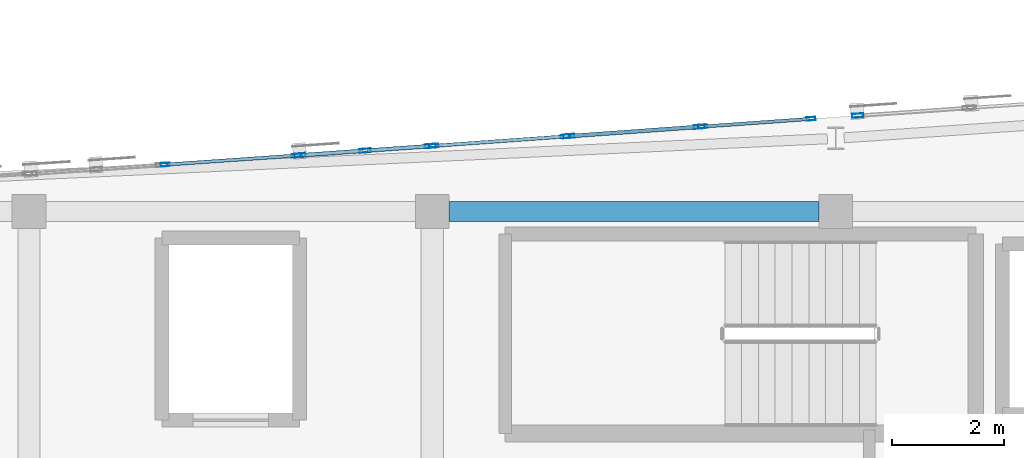
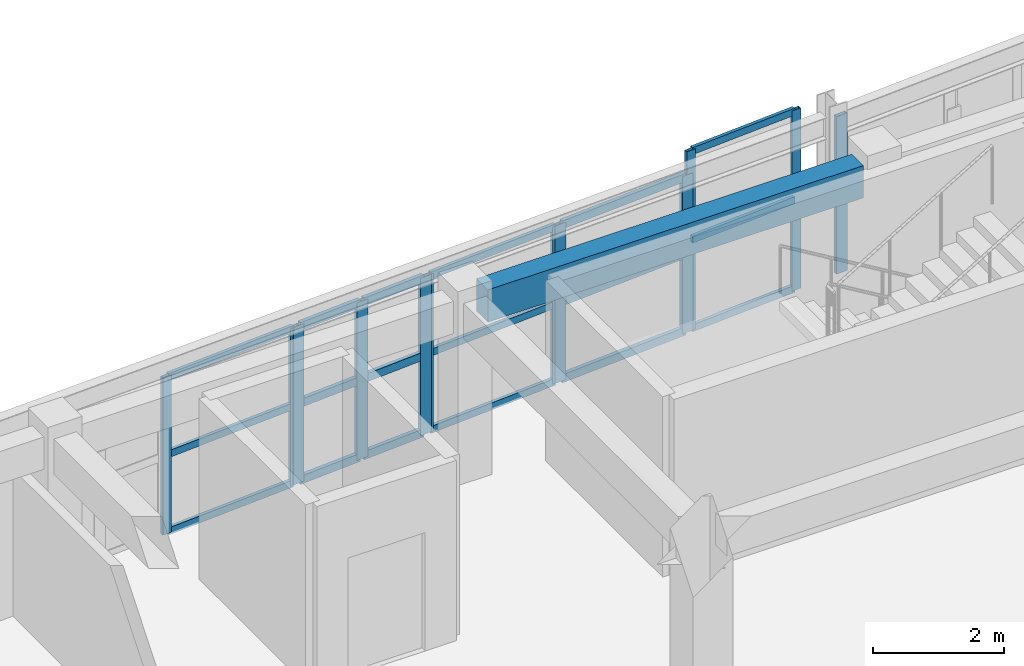
# One storey, part 10 of 50: 30 members, 1 beam, 6 elements without a shape of their own.
"""IFC4 building model written with IfcOpenShell, lengths in metres."""

import ifcopenshell
import ifcopenshell.guid

model = None  # the IFC model being written
_history = None  # IfcOwnerHistory: only IFC2X3 demands one
_inside = {}  # id of a spatial element -> (the spatial element, [elements in it])
_under = {}  # id of a project, library or spatial element -> (it, [spatial elements below it])
_declared = {}  # id of a project -> (the project, [libraries it declares])
_typed = {}  # id of a type object -> (the type object, [elements of that type])
_made_of = {}  # id of a material, layer set ... -> (it, [elements and type objects made of it])


def new_model(schema):
    """Start an empty IFC model of exactly this schema.

    Asked for "IFC4X3", IfcOpenShell would pick the latest addendum, in which some entities
    have other attributes; the version numbers below select the first issue.
    IFC2X3 requires an IfcOwnerHistory on every rooted entity: one is made here for all.
    """
    global model, _history
    if schema == "IFC4X3":
        model = ifcopenshell.file(schema_version=(4, 3, 0, 0))
    else:
        model = ifcopenshell.file(schema=schema)
    _inside.clear()
    _under.clear()
    _declared.clear()
    _typed.clear()
    _made_of.clear()
    _history = None
    if model.schema == "IFC2X3":
        org = make("IfcOrganization", Name="unknown")
        user = make(
            "IfcPersonAndOrganization",
            ThePerson=make("IfcPerson", FamilyName="unknown"),
            TheOrganization=org,
        )
        app = make(
            "IfcApplication",
            ApplicationDeveloper=org,
            Version="unknown",
            ApplicationFullName="unknown",
            ApplicationIdentifier="unknown",
        )
        _history = make(
            "IfcOwnerHistory",
            OwningUser=user,
            OwningApplication=app,
            ChangeAction="ADDED",
            CreationDate=0,
        )
    return model


def make(cls, **values):
    """One entity of the class cls with the attributes given. An attribute that is None is left unset."""
    return model.create_entity(
        cls, **{name: value for name, value in values.items() if value is not None}
    )


def rooted(cls, **values):
    """An entity with a GlobalId (a new one), such as an element, a storey or a relation."""
    return make(cls, GlobalId=ifcopenshell.guid.new(), OwnerHistory=_history, **values)


def si_unit(unit_type, name, prefix=None):
    """IfcSIUnit, for example si_unit("LENGTHUNIT", "METRE", prefix="MILLI")."""
    return make("IfcSIUnit", UnitType=unit_type, Prefix=prefix, Name=name)


def assignment(units):
    """IfcUnitAssignment: the units of a project."""
    return None if units is None else make("IfcUnitAssignment", Units=units)


def point(xyz):
    """IfcCartesianPoint."""
    return None if xyz is None else make("IfcCartesianPoint", Coordinates=xyz)


def direction(xyz):
    """IfcDirection."""
    return None if xyz is None else make("IfcDirection", DirectionRatios=xyz)


def frame(location, z_axis=None, x_axis=None):
    """IfcAxis2Placement3D, a coordinate frame: its origin and axes. An axis left out is left unset."""
    return make(
        "IfcAxis2Placement3D",
        Location=point(location),
        Axis=direction(z_axis),
        RefDirection=direction(x_axis),
    )


def frame_2d(location, x_axis=None):
    """IfcAxis2Placement2D, a coordinate frame in the plane: its origin and x axis."""
    return make(
        "IfcAxis2Placement2D", Location=point(location), RefDirection=direction(x_axis)
    )


def origin():
    """The frame at (0, 0, 0) with its axes left unset."""
    return frame((0.0, 0.0, 0.0))


def origin_2d():
    """The frame at (0, 0) in the plane with its x axis left unset."""
    return frame_2d((0.0, 0.0))


def place(relative_to, where):
    """IfcLocalPlacement: puts the frame where relative to a parent placement (None: the world)."""
    return make(
        "IfcLocalPlacement", PlacementRelTo=relative_to, RelativePlacement=where
    )


def context(
    kind, dimensions, precision=None, world=None, true_north=None, identifier=None
):
    """IfcGeometricRepresentationContext, for example the 3D "Model" context."""
    return make(
        "IfcGeometricRepresentationContext",
        ContextIdentifier=identifier,
        ContextType=kind,
        CoordinateSpaceDimension=dimensions,
        Precision=precision,
        WorldCoordinateSystem=world,
        TrueNorth=true_north,
    )


def subcontext(parent, identifier, kind, view, scale=None):
    """IfcGeometricRepresentationSubContext, for example "Body" below "Model"."""
    return make(
        "IfcGeometricRepresentationSubContext",
        ContextIdentifier=identifier,
        ContextType=kind,
        ParentContext=parent,
        TargetScale=scale,
        TargetView=view,
    )


def project(units=None, contexts=None):
    """IfcProject with its units and contexts."""
    return rooted(
        "IfcProject",
        Name="project",
        RepresentationContexts=contexts,
        UnitsInContext=assignment(units),
    )


def spatial(cls, under=None, at=None, **own):
    """A site, building, storey or space (cls), placed at a placement, below another one or the project."""
    s = rooted(cls, ObjectPlacement=at, **own)
    if under is not None:
        _under.setdefault(under.id(), (under, []))[1].append(s)
    return s


def profile(cls, at=None, kind="AREA", **sizes):
    """A parametric profile (cls). Its sizes go by their IFC names, for example OverallWidth=200.0."""
    return make(cls, ProfileType=kind, Position=at, **sizes)


def rectangle(**sizes):
    """IfcRectangleProfileDef."""
    return profile("IfcRectangleProfileDef", **sizes)


def hollow_rectangle(**sizes):
    """IfcRectangleHollowProfileDef."""
    return profile("IfcRectangleHollowProfileDef", **sizes)


def extrude(swept, where, along, depth):
    """IfcExtrudedAreaSolid: the profile swept, set in the frame where, extruded along a direction by depth."""
    return make(
        "IfcExtrudedAreaSolid",
        SweptArea=swept,
        Position=where,
        ExtrudedDirection=direction(along),
        Depth=depth,
    )


def shape(context_of_items, identifier, shape_type, items):
    """IfcShapeRepresentation: the items that make up one representation, for example the "Body"."""
    return make(
        "IfcShapeRepresentation",
        ContextOfItems=context_of_items,
        RepresentationIdentifier=identifier,
        RepresentationType=shape_type,
        Items=items,
    )


def material(Name=None, Category=None):
    """IfcMaterial."""
    return make("IfcMaterial", Name=Name, Category=Category)


def layer(
    of_material, thickness, ventilated=None, Name=None, Category=None, Priority=None
):
    """IfcMaterialLayer: one layer of a wall or slab, of a material (None: an air gap)."""
    return make(
        "IfcMaterialLayer",
        Material=of_material,
        LayerThickness=thickness,
        IsVentilated=ventilated,
        Name=Name,
        Category=Category,
        Priority=Priority,
    )


def layer_set(layers, Name=None):
    """IfcMaterialLayerSet."""
    return make("IfcMaterialLayerSet", MaterialLayers=layers, LayerSetName=Name)


def material_profile(
    of_material, cross_section, Name=None, Category=None, Priority=None
):
    """IfcMaterialProfile: a cross section and its material."""
    return make(
        "IfcMaterialProfile",
        Name=Name,
        Material=of_material,
        Profile=cross_section,
        Priority=Priority,
        Category=Category,
    )


def profile_set(profiles, Name=None, composite=None):
    """IfcMaterialProfileSet."""
    return make(
        "IfcMaterialProfileSet",
        Name=Name,
        MaterialProfiles=profiles,
        CompositeProfile=composite,
    )


def made_of(thing, what):
    """Note that an element or type object is made of a material, layer set ...; save() writes the relation."""
    if what is not None:
        _made_of.setdefault(what.id(), (what, []))[1].append(thing)
    return thing


def type_object(cls, material=None, **own):
    """A type object (cls), such as IfcWallType, which elements share."""
    return made_of(rooted(cls, **own), material)


def element(
    cls,
    number,
    at=None,
    inside=None,
    cuts=None,
    type_object=None,
    material=None,
    context=None,
    identifier="Body",
    shape_type=None,
    held_by="IfcProductDefinitionShape",
    body=None,
    shapes=None,
    **own,
):
    """One element of the class cls, such as IfcWall. Its Tag is "e" and its number.

    at: its placement. inside: the storey or other place that contains it. cuts: it is an
    opening in that element (IfcRelVoidsElement). A single representation is given by context,
    identifier, shape_type and body (its items); several are given by shapes. held_by: the class
    of the entity that holds the representations. save() writes the other relations.
    """
    e = rooted(cls, Tag="e%d" % number, ObjectPlacement=at, **own)
    if body is not None:
        shapes = [shape(context, identifier, shape_type, body)]
    if shapes is not None:
        e.Representation = make(held_by, Representations=shapes)
    if inside is not None:
        _inside.setdefault(inside.id(), (inside, []))[1].append(e)
    if cuts is not None:
        rooted(
            "IfcRelVoidsElement", RelatingBuildingElement=cuts, RelatedOpeningElement=e
        )
    if type_object is not None:
        _typed.setdefault(type_object.id(), (type_object, []))[1].append(e)
    return made_of(e, material)


def aggregate(whole, parts):
    """IfcRelAggregates: a whole, such as a stair, and the parts it consists of."""
    return rooted("IfcRelAggregates", RelatingObject=whole, RelatedObjects=parts)


def save(model, path):
    """Write the relations noted so far, then the file.

    IfcRelAggregates (storeys below a building ...), IfcRelContainedInSpatialStructure (elements
    in a storey), IfcRelDefinesByType, IfcRelAssociatesMaterial and IfcRelDeclares: one each for
    every whole, place, type object, material and project.
    """
    for whole, parts in _under.values():
        aggregate(whole, parts)
    for where, things in _inside.values():
        rooted(
            "IfcRelContainedInSpatialStructure",
            RelatedElements=things,
            RelatingStructure=where,
        )
    for kind, things in _typed.values():
        rooted("IfcRelDefinesByType", RelatedObjects=things, RelatingType=kind)
    for what, things in _made_of.values():
        rooted("IfcRelAssociatesMaterial", RelatedObjects=things, RelatingMaterial=what)
    for by, libraries in _declared.values():
        rooted("IfcRelDeclares", RelatingContext=by, RelatedDefinitions=libraries)
    model.write(path)


model = new_model("IFC4")

# Units and contexts
model_context = context("Model", 3, precision=1e-05, world=origin(), true_north=direction((0.0, 1.0)))
body_context = subcontext(model_context, "Body", "Model", "MODEL_VIEW")
ifc_project = project(units=[si_unit("LENGTHUNIT", "METRE"), si_unit("AREAUNIT", "SQUARE_METRE"), si_unit("VOLUMEUNIT", "CUBIC_METRE"), si_unit("PLANEANGLEUNIT", "RADIAN"), si_unit("MASSUNIT", "GRAM", prefix="KILO")], contexts=[model_context])

# Site, building, storey
site_placement = place(None, origin())
site = spatial("IfcSite", under=ifc_project, at=site_placement, CompositionType="ELEMENT")
building_placement = place(site_placement, origin())
building = spatial("IfcBuilding", under=site, at=building_placement, Name="Carrowvane Square Congress Hotel", CompositionType="ELEMENT")
storey_placement = place(building_placement, frame((0.0, 0.0, 22.800048828125)))
storey = spatial("IfcBuildingStorey", under=building, at=storey_placement, Name="L05", CompositionType="ELEMENT", Elevation=22.800048828125)

# Beam
ifc_material_1 = material(Name="Concrete C35/45", Category="concrete")
ifc_material_profile_1 = material_profile(ifc_material_1, rectangle(XDim=0.35009765625, YDim=0.60009765625, at=origin_2d()), Name="RC 350x600")
ifc_profile_set_1 = profile_set([ifc_material_profile_1], Name="Concrete C35/45")
beam_type = type_object("IfcBeamType", Name="BM-RC-350x600", PredefinedType="BEAM", material=ifc_profile_set_1)
beam_placement = place(storey_placement, frame((55.10009765625, 113.39990234375, 3.050048828125), z_axis=(1.0, 0.0, 0.0), x_axis=(0.0, 1.0, 0.0)))
element("IfcBeam", 1, at=beam_placement, inside=storey, type_object=beam_type, Name="L06 girder R/7-8", PredefinedType="BEAM", context=body_context, shape_type="SweptSolid", body=[
    extrude(rectangle(XDim=0.35009765625, YDim=0.60009765625, at=origin_2d()), origin(), (0.0, 0.0, 1.0), 6.599853515625),
])

# Curtain wall, members
ifc_material_2 = material(Name="Anodised aluminium", Category="aluminium")
ifc_layer_1 = layer(ifc_material_2, 0.162109375)
ifc_layer_set_1 = layer_set([ifc_layer_1], Name="Anodised aluminium")
curtain_wall_type_1 = type_object("IfcCurtainWallType", Name="CW-SYS-1", PredefinedType="NOTDEFINED", material=ifc_layer_set_1)
curtain_wall_1_placement = place(storey_placement, origin())
curtain_wall_1 = element("IfcCurtainWall", 2, at=curtain_wall_1_placement, inside=storey, type_object=curtain_wall_type_1, Name="L05 unitised curtain wall 312", PredefinedType="NOTDEFINED")
ifc_material_3 = material(Name="Anodised aluminium", Category="aluminium")
ifc_material_profile_2 = material_profile(ifc_material_3, hollow_rectangle(XDim=0.06005859375, YDim=0.159912109375, WallThickness=0.00390625, at=origin_2d()), Name="CW-ML 60x160x4")
ifc_profile_set_2 = profile_set([ifc_material_profile_2], Name="Anodised aluminium")
member_type_1 = type_object("IfcMemberType", Name="CW-MUL-1", PredefinedType="MULLION", material=ifc_profile_set_2)
member_1_placement = place(storey_placement, frame((50.030029296875, 114.237548828125, 0.0), z_axis=(0.0, 0.0, 1.0), x_axis=(-0.068986120725, 0.997617619706, 0.0)))
member_1 = element("IfcMember", 3, at=member_1_placement, type_object=member_type_1, Name="CW-1 mullion 1", PredefinedType="MULLION", context=body_context, shape_type="SweptSolid", body=[
    extrude(hollow_rectangle(XDim=0.06005859375, YDim=0.159912109375, WallThickness=0.00390625, at=origin_2d()), origin(), (0.0, 0.0, 1.0), 2.925537109375),
])
member_2_placement = place(storey_placement, frame((52.3701171875, 114.3994140625, 0.0), z_axis=(0.0, 0.0, 1.0), x_axis=(-0.068986120725, 0.997617619706, 0.0)))
member_2 = element("IfcMember", 4, at=member_2_placement, type_object=member_type_1, Name="CW-1 mullion 2", PredefinedType="MULLION", context=body_context, shape_type="SweptSolid", body=[
    extrude(hollow_rectangle(XDim=0.06005859375, YDim=0.159912109375, WallThickness=0.00390625, at=origin_2d()), origin(), (0.0, 0.0, 1.0), 2.925537109375),
])

ifc_material_4 = material(Name="Anodised aluminium", Category="aluminium")
ifc_layer_2 = layer(ifc_material_4, 0.18603515625)
ifc_layer_set_2 = layer_set([ifc_layer_2], Name="Anodised aluminium")
curtain_wall_type_2 = type_object("IfcCurtainWallType", Name="CW-SYS-3", PredefinedType="NOTDEFINED", material=ifc_layer_set_2)
curtain_wall_2_placement = place(storey_placement, origin())
curtain_wall_2 = element("IfcCurtainWall", 5, at=curtain_wall_2_placement, inside=storey, type_object=curtain_wall_type_2, Name="L05 unitised curtain wall 314", PredefinedType="NOTDEFINED")
member_3_placement = place(storey_placement, frame((54.829833984375, 114.573486328125, 0.0), z_axis=(0.0, 0.0, 1.0), x_axis=(-0.071418356042, 0.997446448898, 0.0)))
member_3 = element("IfcMember", 6, at=member_3_placement, type_object=member_type_1, Name="CW-3 mullion 1", PredefinedType="MULLION", context=body_context, shape_type="SweptSolid", body=[
    extrude(hollow_rectangle(XDim=0.06005859375, YDim=0.159912109375, WallThickness=0.00390625, at=origin_2d()), origin(), (0.0, 0.0, 1.0), 2.925537109375),
])
member_4_placement = place(storey_placement, frame((57.169921875, 114.740966796875, 0.0), z_axis=(0.0, 0.0, 1.0), x_axis=(-0.071418356042, 0.997446448898, 0.0)))
member_4 = element("IfcMember", 7, at=member_4_placement, type_object=member_type_1, Name="CW-3 mullion 2", PredefinedType="MULLION", context=body_context, shape_type="SweptSolid", body=[
    extrude(hollow_rectangle(XDim=0.06005859375, YDim=0.159912109375, WallThickness=0.00390625, at=origin_2d()), origin(), (0.0, 0.0, 1.0), 2.925537109375),
])

ifc_material_5 = material(Name="Anodised aluminium", Category="aluminium")
ifc_layer_3 = layer(ifc_material_5, 0.2099609375)
ifc_layer_set_3 = layer_set([ifc_layer_3], Name="Anodised aluminium")
curtain_wall_type_3 = type_object("IfcCurtainWallType", Name="CW-SYS-5", PredefinedType="NOTDEFINED", material=ifc_layer_set_3)
curtain_wall_3_placement = place(storey_placement, origin())
curtain_wall_3 = element("IfcCurtainWall", 8, at=curtain_wall_3_placement, inside=storey, type_object=curtain_wall_type_3, Name="L05 unitised curtain wall 316", PredefinedType="NOTDEFINED")
member_5_placement = place(storey_placement, frame((59.6298828125, 114.91748046875, 0.0), z_axis=(0.0, 0.0, 1.0), x_axis=(-0.070960217342, 0.997479146426, 0.0)))
member_5 = element("IfcMember", 9, at=member_5_placement, type_object=member_type_1, Name="CW-5 mullion 1", PredefinedType="MULLION", context=body_context, shape_type="SweptSolid", body=[
    extrude(hollow_rectangle(XDim=0.06005859375, YDim=0.159912109375, WallThickness=0.00390625, at=origin_2d()), origin(), (0.0, 0.0, 1.0), 3.349853515625),
])
member_6_placement = place(storey_placement, frame((61.5595703125, 115.0546875, 0.0), z_axis=(0.0, 0.0, 1.0), x_axis=(-0.070960217342, 0.997479146426, 0.0)))
member_6 = element("IfcMember", 10, at=member_6_placement, type_object=member_type_1, Name="CW-5 mullion 2", PredefinedType="MULLION", context=body_context, shape_type="SweptSolid", body=[
    extrude(hollow_rectangle(XDim=0.06005859375, YDim=0.159912109375, WallThickness=0.00390625, at=origin_2d()), origin(), (0.0, 0.0, 1.0), 3.349853515625),
])

ifc_material_6 = material(Name="Anodised aluminium", Category="aluminium")
ifc_layer_4 = layer(ifc_material_6, 0.174072265625)
ifc_layer_set_4 = layer_set([ifc_layer_4], Name="Anodised aluminium")
curtain_wall_type_4 = type_object("IfcCurtainWallType", Name="CW-SYS-2", PredefinedType="NOTDEFINED", material=ifc_layer_set_4)
curtain_wall_4_placement = place(storey_placement, origin())
curtain_wall_4 = element("IfcCurtainWall", 11, at=curtain_wall_4_placement, inside=storey, type_object=curtain_wall_type_4, Name="L05 unitised curtain wall 313", PredefinedType="NOTDEFINED")
ifc_material_7 = material(Name="Anodised aluminium", Category="aluminium")
ifc_material_profile_3 = material_profile(ifc_material_7, hollow_rectangle(XDim=0.070068359375, YDim=0.199951171875, WallThickness=0.0048828125, at=origin_2d()), Name="CW-ML 70x200x5")
ifc_profile_set_3 = profile_set([ifc_material_profile_3], Name="Anodised aluminium")
member_type_2 = type_object("IfcMemberType", Name="CW-MUL-2", PredefinedType="MULLION", material=ifc_profile_set_3)
member_7_placement = place(storey_placement, frame((52.434814453125, 114.40380859375, 0.0), z_axis=(0.0, 0.0, 1.0), x_axis=(-0.070585996942, 0.997505697746, 0.0)))
member_7 = element("IfcMember", 12, at=member_7_placement, type_object=member_type_2, Name="CW-2 mullion 1", PredefinedType="MULLION", context=body_context, shape_type="SweptSolid", body=[
    extrude(hollow_rectangle(XDim=0.070068359375, YDim=0.199951171875, WallThickness=0.0048828125, at=origin_2d()), origin(), (0.0, 0.0, 1.0), 2.925537109375),
])
member_8_placement = place(storey_placement, frame((53.60009765625, 114.486328125, 0.0), z_axis=(0.0, 0.0, 1.0), x_axis=(-0.070585996942, 0.997505697746, 0.0)))
member_8 = element("IfcMember", 13, at=member_8_placement, type_object=member_type_2, Name="CW-2 mullion 2", PredefinedType="MULLION", context=body_context, shape_type="SweptSolid", body=[
    extrude(hollow_rectangle(XDim=0.070068359375, YDim=0.199951171875, WallThickness=0.0048828125, at=origin_2d()), origin(), (0.0, 0.0, 1.0), 2.925537109375),
])
member_9_placement = place(storey_placement, frame((54.76513671875, 114.56884765625, 0.0), z_axis=(0.0, 0.0, 1.0), x_axis=(-0.070585996942, 0.997505697746, 0.0)))
member_9 = element("IfcMember", 14, at=member_9_placement, type_object=member_type_2, Name="CW-2 mullion 3", PredefinedType="MULLION", context=body_context, shape_type="SweptSolid", body=[
    extrude(hollow_rectangle(XDim=0.070068359375, YDim=0.199951171875, WallThickness=0.0048828125, at=origin_2d()), origin(), (0.0, 0.0, 1.0), 2.925537109375),
])

ifc_material_8 = material(Name="Anodised aluminium", Category="aluminium")
ifc_layer_5 = layer(ifc_material_8, 0.197998046875)
ifc_layer_set_5 = layer_set([ifc_layer_5], Name="Anodised aluminium")
curtain_wall_type_5 = type_object("IfcCurtainWallType", Name="CW-SYS-4", PredefinedType="NOTDEFINED", material=ifc_layer_set_5)
curtain_wall_5_placement = place(storey_placement, origin())
curtain_wall_5 = element("IfcCurtainWall", 15, at=curtain_wall_5_placement, inside=storey, type_object=curtain_wall_type_5, Name="L05 unitised curtain wall 315", PredefinedType="NOTDEFINED")
member_10_placement = place(storey_placement, frame((57.23486328125, 114.74560546875, 0.0), z_axis=(0.0, 0.0, 1.0), x_axis=(-0.071531759512, 0.997438322595, 0.0)))
member_10 = element("IfcMember", 16, at=member_10_placement, type_object=member_type_2, Name="CW-4 mullion 1", PredefinedType="MULLION", context=body_context, shape_type="SweptSolid", body=[
    extrude(hollow_rectangle(XDim=0.070068359375, YDim=0.199951171875, WallThickness=0.0048828125, at=origin_2d()), origin(), (0.0, 0.0, 1.0), 2.925537109375),
])
member_11_placement = place(storey_placement, frame((59.565185546875, 114.912841796875, 0.0), z_axis=(0.0, 0.0, 1.0), x_axis=(-0.071531759512, 0.997438322595, 0.0)))
member_11 = element("IfcMember", 17, at=member_11_placement, type_object=member_type_2, Name="CW-4 mullion 2", PredefinedType="MULLION", context=body_context, shape_type="SweptSolid", body=[
    extrude(hollow_rectangle(XDim=0.070068359375, YDim=0.199951171875, WallThickness=0.0048828125, at=origin_2d()), origin(), (0.0, 0.0, 1.0), 2.925537109375),
])

# Curtain wall, member
ifc_material_9 = material(Name="Anodised aluminium", Category="aluminium")
ifc_layer_6 = layer(ifc_material_9, 0.221923828125)
ifc_layer_set_6 = layer_set([ifc_layer_6], Name="Anodised aluminium")
curtain_wall_type_6 = type_object("IfcCurtainWallType", Name="CW-SYS-6", PredefinedType="NOTDEFINED", material=ifc_layer_set_6)
curtain_wall_6_placement = place(storey_placement, origin())
curtain_wall_6 = element("IfcCurtainWall", 18, at=curtain_wall_6_placement, inside=storey, type_object=curtain_wall_type_6, Name="L05 unitised curtain wall 317", PredefinedType="NOTDEFINED")
member_12_placement = place(storey_placement, frame((62.39208984375, 115.11328125, 0.0), z_axis=(0.0, 0.0, 1.0), x_axis=(-0.069723822092, 0.997566332949, 0.0)))
member_12 = element("IfcMember", 19, at=member_12_placement, type_object=member_type_2, Name="CW-6 mullion 1", PredefinedType="MULLION", context=body_context, shape_type="SweptSolid", body=[
    extrude(hollow_rectangle(XDim=0.070068359375, YDim=0.199951171875, WallThickness=0.0048828125, at=origin_2d()), origin(), (0.0, 0.0, 1.0), 2.925537109375),
])
aggregate(curtain_wall_6, [member_12])

# Member
ifc_material_10 = material(Name="Anodised aluminium", Category="aluminium")
ifc_material_profile_4 = material_profile(ifc_material_10, hollow_rectangle(XDim=0.06005859375, YDim=0.1298828125, WallThickness=0.00390625, at=origin_2d()), Name="CW-TR 60x130x4")
ifc_profile_set_4 = profile_set([ifc_material_profile_4], Name="Anodised aluminium")
member_type_3 = type_object("IfcMemberType", Name="CW-TRN-1", PredefinedType="USERDEFINED", material=ifc_profile_set_4)
member_13_placement = place(storey_placement, frame((50.059814453125, 114.239501953125, 0.030029296875), z_axis=(0.997616657175, 0.069000038601, 0.0), x_axis=(-0.069000038601, 0.997616657175, 0.0)))
member_13 = element("IfcMember", 20, at=member_13_placement, type_object=member_type_3, Name="CW-1 transom 1.1", ObjectType="TRANSOM", PredefinedType="USERDEFINED", context=body_context, shape_type="SweptSolid", body=[
    extrude(hollow_rectangle(XDim=0.06005859375, YDim=0.1298828125, WallThickness=0.00390625, at=origin_2d()), origin(), (0.0, 0.0, 1.0), 2.28564453125),
])

member_14_placement = place(storey_placement, frame((50.059814453125, 114.239501953125, 1.462646484375), z_axis=(0.997616657175, 0.069000038601, 0.0), x_axis=(-0.069000038601, 0.997616657175, 0.0)))
member_14 = element("IfcMember", 21, at=member_14_placement, type_object=member_type_3, Name="CW-1 transom 1.2", ObjectType="TRANSOM", PredefinedType="USERDEFINED", context=body_context, shape_type="SweptSolid", body=[
    extrude(hollow_rectangle(XDim=0.06005859375, YDim=0.1298828125, WallThickness=0.00390625, at=origin_2d()), origin(), (0.0, 0.0, 1.0), 2.28564453125),
])

member_15_placement = place(storey_placement, frame((50.059814453125, 114.239501953125, 2.8955078125), z_axis=(0.997616657175, 0.069000038601, 0.0), x_axis=(-0.069000038601, 0.997616657175, 0.0)))
member_15 = element("IfcMember", 22, at=member_15_placement, type_object=member_type_3, Name="CW-1 transom 1.3", ObjectType="TRANSOM", PredefinedType="USERDEFINED", context=body_context, shape_type="SweptSolid", body=[
    extrude(hollow_rectangle(XDim=0.06005859375, YDim=0.1298828125, WallThickness=0.00390625, at=origin_2d()), origin(), (0.0, 0.0, 1.0), 2.28564453125),
])

aggregate(curtain_wall_1, [member_1, member_2, member_13, member_14, member_15])

member_16_placement = place(storey_placement, frame((54.85986328125, 114.575439453125, 0.030029296875), z_axis=(0.997444585834, 0.071444371298, 0.0), x_axis=(-0.071444371298, 0.997444585834, 0.0)))
member_16 = element("IfcMember", 23, at=member_16_placement, type_object=member_type_3, Name="CW-3 transom 1.1", ObjectType="TRANSOM", PredefinedType="USERDEFINED", context=body_context, shape_type="SweptSolid", body=[
    extrude(hollow_rectangle(XDim=0.06005859375, YDim=0.1298828125, WallThickness=0.00390625, at=origin_2d()), origin(), (0.0, 0.0, 1.0), 2.2861328125),
])

member_17_placement = place(storey_placement, frame((54.85986328125, 114.575439453125, 1.462646484375), z_axis=(0.997444585834, 0.071444371298, 0.0), x_axis=(-0.071444371298, 0.997444585834, 0.0)))
member_17 = element("IfcMember", 24, at=member_17_placement, type_object=member_type_3, Name="CW-3 transom 1.2", ObjectType="TRANSOM", PredefinedType="USERDEFINED", context=body_context, shape_type="SweptSolid", body=[
    extrude(hollow_rectangle(XDim=0.06005859375, YDim=0.1298828125, WallThickness=0.00390625, at=origin_2d()), origin(), (0.0, 0.0, 1.0), 2.2861328125),
])

member_18_placement = place(storey_placement, frame((54.85986328125, 114.575439453125, 2.8955078125), z_axis=(0.997444585834, 0.071444371298, 0.0), x_axis=(-0.071444371298, 0.997444585834, 0.0)))
member_18 = element("IfcMember", 25, at=member_18_placement, type_object=member_type_3, Name="CW-3 transom 1.3", ObjectType="TRANSOM", PredefinedType="USERDEFINED", context=body_context, shape_type="SweptSolid", body=[
    extrude(hollow_rectangle(XDim=0.06005859375, YDim=0.1298828125, WallThickness=0.00390625, at=origin_2d()), origin(), (0.0, 0.0, 1.0), 2.2861328125),
])

aggregate(curtain_wall_2, [member_3, member_4, member_16, member_17, member_18])

member_19_placement = place(storey_placement, frame((59.659912109375, 114.91943359375, 0.030029296875), z_axis=(0.997477179268, 0.070987864025, 0.0), x_axis=(-0.070987864025, 0.997477179268, 0.0)))
member_19 = element("IfcMember", 26, at=member_19_placement, type_object=member_type_3, Name="CW-5 transom 1.1", ObjectType="TRANSOM", PredefinedType="USERDEFINED", context=body_context, shape_type="SweptSolid", body=[
    extrude(hollow_rectangle(XDim=0.06005859375, YDim=0.1298828125, WallThickness=0.00390625, at=origin_2d()), origin(), (0.0, 0.0, 1.0), 1.874267578125),
])

member_20_placement = place(storey_placement, frame((59.659912109375, 114.91943359375, 1.675048828125), z_axis=(0.997477179268, 0.070987864025, 0.0), x_axis=(-0.070987864025, 0.997477179268, 0.0)))
member_20 = element("IfcMember", 27, at=member_20_placement, type_object=member_type_3, Name="CW-5 transom 1.2", ObjectType="TRANSOM", PredefinedType="USERDEFINED", context=body_context, shape_type="SweptSolid", body=[
    extrude(hollow_rectangle(XDim=0.06005859375, YDim=0.1298828125, WallThickness=0.00390625, at=origin_2d()), origin(), (0.0, 0.0, 1.0), 1.874267578125),
])

member_21_placement = place(storey_placement, frame((59.659912109375, 114.91943359375, 3.320068359375), z_axis=(0.997477179268, 0.070987864025, 0.0), x_axis=(-0.070987864025, 0.997477179268, 0.0)))
member_21 = element("IfcMember", 28, at=member_21_placement, type_object=member_type_3, Name="CW-5 transom 1.3", ObjectType="TRANSOM", PredefinedType="USERDEFINED", context=body_context, shape_type="SweptSolid", body=[
    extrude(hollow_rectangle(XDim=0.06005859375, YDim=0.1298828125, WallThickness=0.00390625, at=origin_2d()), origin(), (0.0, 0.0, 1.0), 1.874267578125),
])

aggregate(curtain_wall_3, [member_5, member_6, member_19, member_20, member_21])

ifc_material_11 = material(Name="Anodised aluminium", Category="aluminium")
ifc_material_profile_5 = material_profile(ifc_material_11, hollow_rectangle(XDim=0.070068359375, YDim=0.14990234375, WallThickness=0.0048828125, at=origin_2d()), Name="CW-TR 70x150x5")
ifc_profile_set_5 = profile_set([ifc_material_profile_5], Name="Anodised aluminium")
member_type_4 = type_object("IfcMemberType", Name="CW-TRN-2", PredefinedType="USERDEFINED", material=ifc_profile_set_5)
member_22_placement = place(storey_placement, frame((52.4697265625, 114.406494140625, 0.034912109375), z_axis=(0.997513695284, 0.070472886429, 0.0), x_axis=(-0.070472886429, 0.997513695284, 0.0)))
member_22 = element("IfcMember", 29, at=member_22_placement, type_object=member_type_4, Name="CW-2 transom 1.1", ObjectType="TRANSOM", PredefinedType="USERDEFINED", context=body_context, shape_type="SweptSolid", body=[
    extrude(hollow_rectangle(XDim=0.070068359375, YDim=0.14990234375, WallThickness=0.0048828125, at=origin_2d()), origin(), (0.0, 0.0, 1.0), 1.09814453125),
])

member_23_placement = place(storey_placement, frame((52.4697265625, 114.406494140625, 1.462646484375), z_axis=(0.997513695284, 0.070472886429, 0.0), x_axis=(-0.070472886429, 0.997513695284, 0.0)))
member_23 = element("IfcMember", 30, at=member_23_placement, type_object=member_type_4, Name="CW-2 transom 1.2", ObjectType="TRANSOM", PredefinedType="USERDEFINED", context=body_context, shape_type="SweptSolid", body=[
    extrude(hollow_rectangle(XDim=0.070068359375, YDim=0.14990234375, WallThickness=0.0048828125, at=origin_2d()), origin(), (0.0, 0.0, 1.0), 1.09814453125),
])

member_24_placement = place(storey_placement, frame((52.4697265625, 114.406494140625, 2.890625), z_axis=(0.997513695284, 0.070472886429, 0.0), x_axis=(-0.070472886429, 0.997513695284, 0.0)))
member_24 = element("IfcMember", 31, at=member_24_placement, type_object=member_type_4, Name="CW-2 transom 1.3", ObjectType="TRANSOM", PredefinedType="USERDEFINED", context=body_context, shape_type="SweptSolid", body=[
    extrude(hollow_rectangle(XDim=0.070068359375, YDim=0.14990234375, WallThickness=0.0048828125, at=origin_2d()), origin(), (0.0, 0.0, 1.0), 1.09814453125),
])

member_25_placement = place(storey_placement, frame((53.635009765625, 114.48876953125, 0.034912109375), z_axis=(0.9974969316, 0.070709769115, 0.0), x_axis=(-0.070709769115, 0.9974969316, 0.0)))
member_25 = element("IfcMember", 32, at=member_25_placement, type_object=member_type_4, Name="CW-2 transom 2.1", ObjectType="TRANSOM", PredefinedType="USERDEFINED", context=body_context, shape_type="SweptSolid", body=[
    extrude(hollow_rectangle(XDim=0.070068359375, YDim=0.14990234375, WallThickness=0.0048828125, at=origin_2d()), origin(), (0.0, 0.0, 1.0), 1.097900390625),
])

member_26_placement = place(storey_placement, frame((53.635009765625, 114.48876953125, 1.462646484375), z_axis=(0.9974969316, 0.070709769115, 0.0), x_axis=(-0.070709769115, 0.9974969316, 0.0)))
member_26 = element("IfcMember", 33, at=member_26_placement, type_object=member_type_4, Name="CW-2 transom 2.2", ObjectType="TRANSOM", PredefinedType="USERDEFINED", context=body_context, shape_type="SweptSolid", body=[
    extrude(hollow_rectangle(XDim=0.070068359375, YDim=0.14990234375, WallThickness=0.0048828125, at=origin_2d()), origin(), (0.0, 0.0, 1.0), 1.097900390625),
])

member_27_placement = place(storey_placement, frame((53.635009765625, 114.48876953125, 2.890625), z_axis=(0.9974969316, 0.070709769115, 0.0), x_axis=(-0.070709769115, 0.9974969316, 0.0)))
member_27 = element("IfcMember", 34, at=member_27_placement, type_object=member_type_4, Name="CW-2 transom 2.3", ObjectType="TRANSOM", PredefinedType="USERDEFINED", context=body_context, shape_type="SweptSolid", body=[
    extrude(hollow_rectangle(XDim=0.070068359375, YDim=0.14990234375, WallThickness=0.0048828125, at=origin_2d()), origin(), (0.0, 0.0, 1.0), 1.097900390625),
])

aggregate(curtain_wall_4, [member_7, member_8, member_9, member_22, member_23, member_24, member_25, member_26, member_27])

member_28_placement = place(storey_placement, frame((57.269775390625, 114.748046875, 0.034912109375), z_axis=(0.99743842674, 0.071530307307, 0.0), x_axis=(-0.071530307307, 0.99743842674, 0.0)))
member_28 = element("IfcMember", 35, at=member_28_placement, type_object=member_type_4, Name="CW-4 transom 1.1", ObjectType="TRANSOM", PredefinedType="USERDEFINED", context=body_context, shape_type="SweptSolid", body=[
    extrude(hollow_rectangle(XDim=0.070068359375, YDim=0.14990234375, WallThickness=0.0048828125, at=origin_2d()), origin(), (0.0, 0.0, 1.0), 2.266357421875),
])

member_29_placement = place(storey_placement, frame((57.269775390625, 114.748046875, 1.462646484375), z_axis=(0.99743842674, 0.071530307307, 0.0), x_axis=(-0.071530307307, 0.99743842674, 0.0)))
member_29 = element("IfcMember", 36, at=member_29_placement, type_object=member_type_4, Name="CW-4 transom 1.2", ObjectType="TRANSOM", PredefinedType="USERDEFINED", context=body_context, shape_type="SweptSolid", body=[
    extrude(hollow_rectangle(XDim=0.070068359375, YDim=0.14990234375, WallThickness=0.0048828125, at=origin_2d()), origin(), (0.0, 0.0, 1.0), 2.266357421875),
])

member_30_placement = place(storey_placement, frame((57.269775390625, 114.748046875, 2.890625), z_axis=(0.99743842674, 0.071530307307, 0.0), x_axis=(-0.071530307307, 0.99743842674, 0.0)))
member_30 = element("IfcMember", 37, at=member_30_placement, type_object=member_type_4, Name="CW-4 transom 1.3", ObjectType="TRANSOM", PredefinedType="USERDEFINED", context=body_context, shape_type="SweptSolid", body=[
    extrude(hollow_rectangle(XDim=0.070068359375, YDim=0.14990234375, WallThickness=0.0048828125, at=origin_2d()), origin(), (0.0, 0.0, 1.0), 2.266357421875),
])

aggregate(curtain_wall_5, [member_10, member_11, member_28, member_29, member_30])

save(model, "model.ifc")
